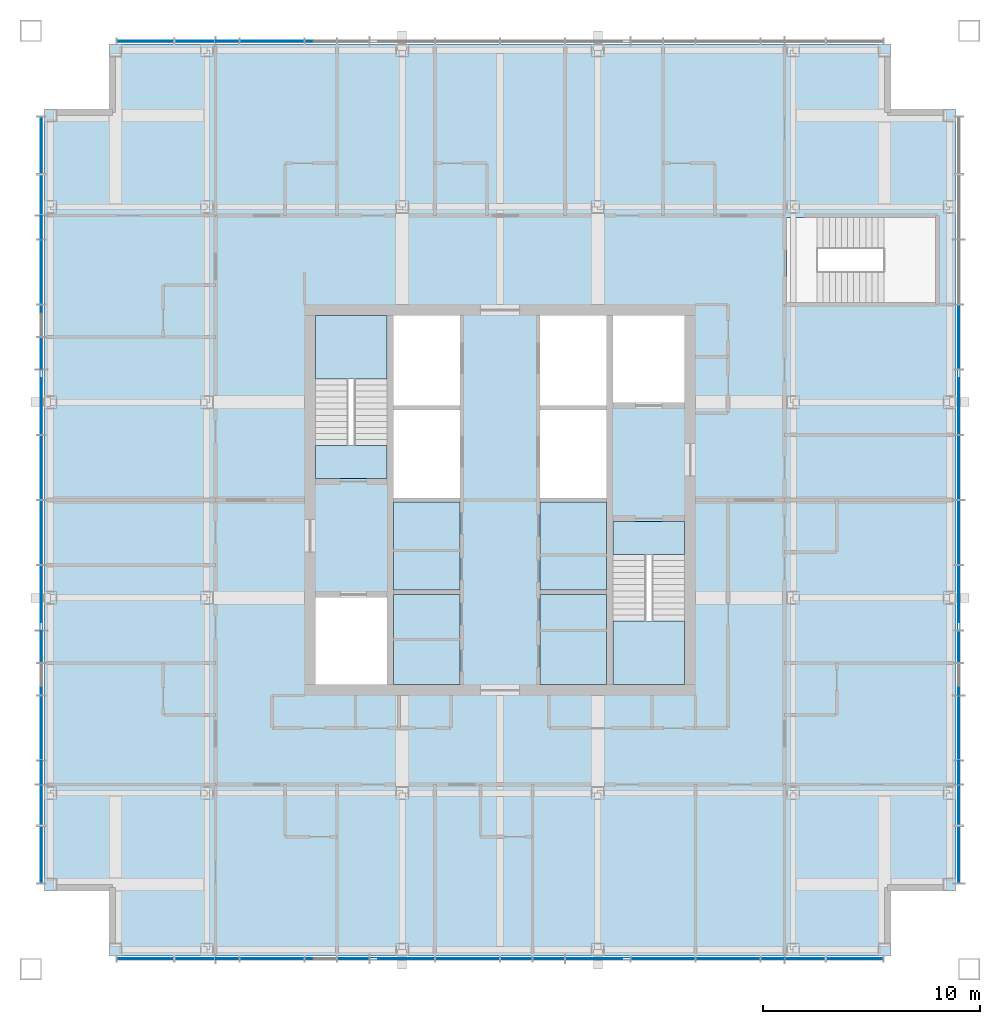
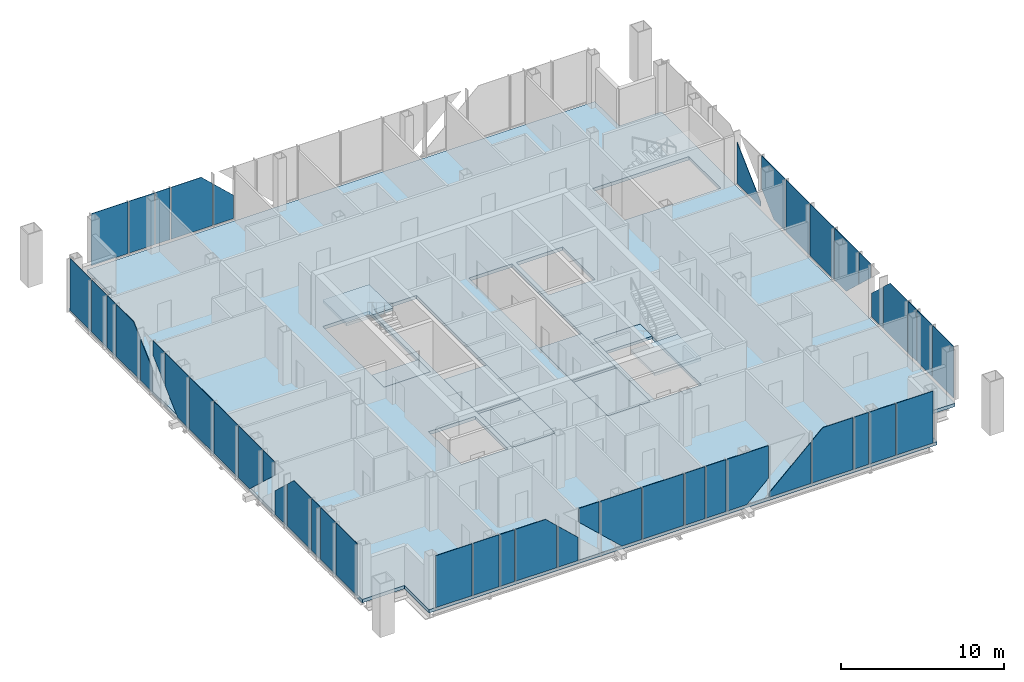
# One storey, part 6 of 13: 48 plates, 9 slabs, 6 elements without a shape of their own.
"""IFC4 building model written with IfcOpenShell, lengths in metres."""

from ifc_helpers import new_model, si_unit, direction, frame, origin, origin_2d, place, context, subcontext, project, spatial, polyline, rectangle, outline, extrude, material, layer, layer_set, type_object, element, aggregate, save


model = new_model("IFC4")

# Units and contexts
model_context = context("Model", 3, precision=1e-05, world=origin(), true_north=direction((0.0, 1.0)))
body_context = subcontext(model_context, "Body", "Model", "MODEL_VIEW")
ifc_project = project(units=[si_unit("LENGTHUNIT", "METRE"), si_unit("AREAUNIT", "SQUARE_METRE"), si_unit("VOLUMEUNIT", "CUBIC_METRE"), si_unit("PLANEANGLEUNIT", "RADIAN"), si_unit("MASSUNIT", "GRAM", prefix="KILO")], contexts=[model_context])

# Site, building, storey
site_placement = place(None, origin())
site = spatial("IfcSite", under=ifc_project, at=site_placement, CompositionType="ELEMENT")
building_placement = place(site_placement, origin())
building = spatial("IfcBuilding", under=site, at=building_placement, Name="Malebo Sky Hospital", CompositionType="ELEMENT")
storey_placement = place(building_placement, frame((0.0, 0.0, 274.0)))
storey = spatial("IfcBuildingStorey", under=building, at=storey_placement, Name="L66", CompositionType="ELEMENT", Elevation=274.0)

# Slabs
ifc_material_1 = material(Name="Concrete C40/50", Category="concrete")
ifc_layer_1 = layer(ifc_material_1, 0.25)
ifc_layer_set_1 = layer_set([ifc_layer_1], Name="COMPOSITE FLOOR SLAB 250")
slab_type_1 = type_object("IfcSlabType", Name="COMPOSITE FLOOR SLAB 250", PredefinedType="FLOOR", material=ifc_layer_set_1)
slab_1_placement = place(storey_placement, frame((0.0, 0.0, -0.25)))
element("IfcSlab", 1, at=slab_1_placement, inside=storey, type_object=slab_type_1, Name="Floor slab L66", PredefinedType="FLOOR", context=body_context, shape_type="SweptSolid", body=[
    extrude(outline(polyline([(42.0, 83.0), (42.0, 80.0), (39.0, 80.0), (39.0, 44.0), (42.0, 44.0), (42.0, 41.0), (78.0, 41.0), (78.0, 44.0), (81.0, 44.0), (81.0, 80.0), (78.0, 80.0), (78.0, 83.0), (42.0, 83.0)]), holes=[polyline([(55.10009765625, 70.5), (58.14990234375, 70.5), (58.14990234375, 53.5), (55.10009765625, 53.5), (55.10009765625, 70.5)]), polyline([(64.89990234375, 70.5), (64.89990234375, 53.5), (61.85009765625, 53.5), (61.85009765625, 70.5), (64.89990234375, 70.5)]), polyline([(54.800048828125, 63.0), (51.5, 63.0), (51.5, 70.5), (54.800048828125, 70.5), (54.800048828125, 63.0)]), polyline([(51.5, 53.5), (51.5, 57.5), (54.800048828125, 57.5), (54.800048828125, 53.5), (51.5, 53.5)]), polyline([(65.199951171875, 61.0), (68.5, 61.0), (68.5, 53.5), (65.199951171875, 53.5), (65.199951171875, 61.0)]), polyline([(68.5, 70.5), (68.5, 66.5), (65.199951171875, 66.5), (65.199951171875, 70.5), (68.5, 70.5)]), polyline([(80.050048828125, 71.10009765625), (73.199951171875, 71.10009765625), (73.199951171875, 75.0), (80.050048828125, 75.0), (80.050048828125, 71.10009765625)])]), origin(), (0.0, 0.0, 1.0), 0.25),
])
ifc_layer_2 = layer(ifc_material_1, 0.25)
ifc_layer_set_2 = layer_set([ifc_layer_2], Name="SHAFT INFILL SLAB 250")
slab_type_2 = type_object("IfcSlabType", Name="SHAFT INFILL SLAB 250", PredefinedType="FLOOR", material=ifc_layer_set_2)
slab_2_placement = place(storey_placement, frame((0.0, 0.0, -0.25)))
element("IfcSlab", 2, at=slab_2_placement, inside=storey, type_object=slab_type_2, Name="Shaft infill slab W1 L66", PredefinedType="FLOOR", context=body_context, shape_type="SweptSolid", body=[
    extrude(outline(polyline([(55.10009765625, 53.5), (58.14990234375, 53.5), (58.14990234375, 57.64990234375), (55.10009765625, 57.64990234375), (55.10009765625, 53.5)])), origin(), (0.0, 0.0, 1.0), 0.25),
])
slab_3_placement = place(storey_placement, frame((0.0, 0.0, -0.25)))
element("IfcSlab", 3, at=slab_3_placement, inside=storey, type_object=slab_type_2, Name="Shaft infill slab W2 L66", PredefinedType="FLOOR", context=body_context, shape_type="SweptSolid", body=[
    extrude(outline(polyline([(55.10009765625, 57.85009765625), (58.14990234375, 57.85009765625), (58.14990234375, 61.89990234375), (55.10009765625, 61.89990234375), (55.10009765625, 57.85009765625)])), origin(), (0.0, 0.0, 1.0), 0.25),
])
slab_4_placement = place(storey_placement, frame((0.0, 0.0, -0.25)))
element("IfcSlab", 4, at=slab_4_placement, inside=storey, type_object=slab_type_2, Name="Shaft infill slab E1 L66", PredefinedType="FLOOR", context=body_context, shape_type="SweptSolid", body=[
    extrude(outline(polyline([(61.85009765625, 53.5), (64.89990234375, 53.5), (64.89990234375, 57.64990234375), (61.85009765625, 57.64990234375), (61.85009765625, 53.5)])), origin(), (0.0, 0.0, 1.0), 0.25),
])
slab_5_placement = place(storey_placement, frame((0.0, 0.0, -0.25)))
element("IfcSlab", 5, at=slab_5_placement, inside=storey, type_object=slab_type_2, Name="Shaft infill slab E2 L66", PredefinedType="FLOOR", context=body_context, shape_type="SweptSolid", body=[
    extrude(outline(polyline([(61.85009765625, 57.85009765625), (64.89990234375, 57.85009765625), (64.89990234375, 61.89990234375), (61.85009765625, 61.89990234375), (61.85009765625, 57.85009765625)])), origin(), (0.0, 0.0, 1.0), 0.25),
])

# Stair, slabs
stair_type = type_object("IfcStairType", Name="HALF-TURN STAIR 1500 R167", PredefinedType="HALF_TURN_STAIR", material=ifc_material_1)
stair_1_placement = place(storey_placement, origin())
stair_1 = element("IfcStair", 6, at=stair_1_placement, inside=storey, type_object=stair_type, Name="Stair S1 L66 type ST1", PredefinedType="HALF_TURN_STAIR")
ifc_layer_3 = layer(ifc_material_1, 0.199951171875)
ifc_layer_set_3 = layer_set([ifc_layer_3], Name="STAIR LANDING 200")
slab_type_3 = type_object("IfcSlabType", Name="STAIR LANDING 200", PredefinedType="LANDING", material=ifc_layer_set_3)
slab_6_placement = place(storey_placement, frame((0.0, 0.0, -0.199951171875)))
slab_6 = element("IfcSlab", 7, at=slab_6_placement, type_object=slab_type_3, Name="S1 landing 1", PredefinedType="LANDING", context=body_context, shape_type="SweptSolid", body=[
    extrude(outline(polyline([(51.5, 63.0), (54.800048828125, 63.0), (54.800048828125, 64.5), (51.5, 64.5), (51.5, 63.0)])), origin(), (0.0, 0.0, 1.0), 0.199951171875),
])
slab_7_placement = place(storey_placement, frame((0.0, 0.0, 1.800048828125)))
slab_7 = element("IfcSlab", 8, at=slab_7_placement, type_object=slab_type_3, Name="S1 landing 2", PredefinedType="LANDING", context=body_context, shape_type="SweptSolid", body=[
    extrude(outline(polyline([(51.5, 67.580078125), (54.800048828125, 67.580078125), (54.800048828125, 70.5), (51.5, 70.5), (51.5, 67.580078125)])), origin(), (0.0, 0.0, 1.0), 0.199951171875),
])
aggregate(stair_1, [slab_6, slab_7])

stair_2_placement = place(storey_placement, origin())
stair_2 = element("IfcStair", 9, at=stair_2_placement, inside=storey, type_object=stair_type, Name="Stair S2 L66 type ST1", PredefinedType="HALF_TURN_STAIR")
slab_8_placement = place(storey_placement, frame((0.0, 0.0, -0.199951171875)))
slab_8 = element("IfcSlab", 10, at=slab_8_placement, type_object=slab_type_3, Name="S2 landing 1", PredefinedType="LANDING", context=body_context, shape_type="SweptSolid", body=[
    extrude(outline(polyline([(65.199951171875, 59.5), (68.5, 59.5), (68.5, 61.0), (65.199951171875, 61.0), (65.199951171875, 59.5)])), origin(), (0.0, 0.0, 1.0), 0.199951171875),
])
slab_9_placement = place(storey_placement, frame((0.0, 0.0, 1.800048828125)))
slab_9 = element("IfcSlab", 11, at=slab_9_placement, type_object=slab_type_3, Name="S2 landing 2", PredefinedType="LANDING", context=body_context, shape_type="SweptSolid", body=[
    extrude(outline(polyline([(65.199951171875, 53.5), (68.5, 53.5), (68.5, 56.419921875), (65.199951171875, 56.419921875), (65.199951171875, 53.5)])), origin(), (0.0, 0.0, 1.0), 0.199951171875),
])
aggregate(stair_2, [slab_8, slab_9])

# Curtain wall, plates
ifc_material_2 = material(Name="Anodised aluminium, natural silver", Category="aluminium")
ifc_layer_4 = layer(ifc_material_2, 0.25)
ifc_layer_set_4 = layer_set([ifc_layer_4], Name="WARD CURTAIN WALL NORTH AND SOUTH")
curtain_wall_type_1 = type_object("IfcCurtainWallType", Name="WARD CURTAIN WALL NORTH AND SOUTH", PredefinedType="NOTDEFINED", material=ifc_layer_set_4)
curtain_wall_1_placement = place(storey_placement, origin())
curtain_wall_1 = element("IfcCurtainWall", 12, at=curtain_wall_1_placement, inside=storey, type_object=curtain_wall_type_1, Name="NS curtain wall N", PredefinedType="NOTDEFINED")
ifc_material_3 = material(Name="Clear low-iron double glazing", Category="glass")
ifc_layer_5 = layer(ifc_material_3, 0.031982421875)
ifc_layer_set_5 = layer_set([ifc_layer_5], Name="VISION PANEL CLEAR 32")
plate_type = type_object("IfcPlateType", Name="VISION PANEL CLEAR 32", PredefinedType="CURTAIN_PANEL", material=ifc_layer_set_5)
plate_1_placement = place(storey_placement, frame((43.668701171875, 83.125, 0.10009765625), z_axis=(0.0, 0.0, 1.0), x_axis=(1.0, 0.0, 0.0)))
plate_1 = element("IfcPlate", 13, at=plate_1_placement, type_object=plate_type, Name="Panel 1", PredefinedType="CURTAIN_PANEL", context=body_context, shape_type="SweptSolid", body=[
    extrude(rectangle(XDim=2.58740234375, YDim=0.031982421875, at=origin_2d()), origin(), (0.0, 0.0, 1.0), 3.889892578125),
])
plate_2_placement = place(storey_placement, frame((45.949951171875, 83.125, 0.10009765625), z_axis=(0.0, 0.0, 1.0), x_axis=(1.0, 0.0, 0.0)))
plate_2 = element("IfcPlate", 14, at=plate_2_placement, type_object=plate_type, Name="Panel 2", PredefinedType="CURTAIN_PANEL", context=body_context, shape_type="SweptSolid", body=[
    extrude(rectangle(XDim=1.824951171875, YDim=0.031982421875, at=origin_2d()), origin(), (0.0, 0.0, 1.0), 3.889892578125),
])
plate_3_placement = place(storey_placement, frame((47.449951171875, 83.125, 0.10009765625), z_axis=(0.0, 0.0, 1.0), x_axis=(1.0, 0.0, 0.0)))
plate_3 = element("IfcPlate", 15, at=plate_3_placement, type_object=plate_type, Name="Panel 3", PredefinedType="CURTAIN_PANEL", context=body_context, shape_type="SweptSolid", body=[
    extrude(rectangle(XDim=1.02490234375, YDim=0.031982421875, at=origin_2d()), origin(), (0.0, 0.0, 1.0), 3.889892578125),
])
plate_4_placement = place(storey_placement, frame((49.5, 83.125, 0.10009765625), z_axis=(0.0, 0.0, 1.0), x_axis=(1.0, 0.0, 0.0)))
plate_4 = element("IfcPlate", 16, at=plate_4_placement, type_object=plate_type, Name="Panel 4", PredefinedType="CURTAIN_PANEL", context=body_context, shape_type="SweptSolid", body=[
    extrude(outline(polyline([(-1.46240234375, 0.0), (1.46240234375, 0.0), (1.46240234375, 3.154296875), (0.6767578125, 3.889892578125), (-1.46240234375, 3.889892578125), (-1.46240234375, 0.0)])), frame((0.0, 0.01611328125, 0.0), z_axis=(0.0, -1.0, 0.0), x_axis=(1.0, 0.0, 0.0)), (0.0, 0.0, 1.0), 0.031982421875),
])
plate_5_placement = place(storey_placement, frame((51.75, 83.125, 0.10009765625), z_axis=(0.0, 0.0, 1.0), x_axis=(1.0, 0.0, 0.0)))
plate_5 = element("IfcPlate", 17, at=plate_5_placement, type_object=plate_type, Name="Panel 5", PredefinedType="CURTAIN_PANEL", context=body_context, shape_type="SweptSolid", body=[
    extrude(outline(polyline([(-0.71240234375, 0.0), (0.71240234375, 0.0), (0.71240234375, 1.749755859375), (-0.71240234375, 3.083984375), (-0.71240234375, 0.0)])), frame((0.0, 0.01611328125, 0.0), z_axis=(0.0, -1.0, 0.0), x_axis=(1.0, 0.0, 0.0)), (0.0, 0.0, 1.0), 0.031982421875),
])
aggregate(curtain_wall_1, [plate_1, plate_2, plate_3, plate_4, plate_5])

ifc_layer_6 = layer(ifc_material_2, 0.25)
ifc_layer_set_6 = layer_set([ifc_layer_6], Name="WARD CURTAIN WALL EAST AND WEST")
curtain_wall_type_2 = type_object("IfcCurtainWallType", Name="WARD CURTAIN WALL EAST AND WEST", PredefinedType="NOTDEFINED", material=ifc_layer_set_6)
curtain_wall_2_placement = place(storey_placement, origin())
curtain_wall_2 = element("IfcCurtainWall", 18, at=curtain_wall_2_placement, inside=storey, type_object=curtain_wall_type_2, Name="EW curtain wall W", PredefinedType="NOTDEFINED")
plate_6_placement = place(storey_placement, frame((38.875, 45.668701171875, 0.10009765625), z_axis=(0.0, 0.0, 1.0), x_axis=(0.0, 1.0, 0.0)))
plate_6 = element("IfcPlate", 19, at=plate_6_placement, type_object=plate_type, Name="Panel 1", PredefinedType="CURTAIN_PANEL", context=body_context, shape_type="SweptSolid", body=[
    extrude(rectangle(XDim=2.58740234375, YDim=0.031982421875, at=origin_2d()), origin(), (0.0, 0.0, 1.0), 3.889892578125),
])
plate_7_placement = place(storey_placement, frame((38.875, 47.949951171875, 0.10009765625), z_axis=(0.0, 0.0, 1.0), x_axis=(0.0, 1.0, 0.0)))
plate_7 = element("IfcPlate", 20, at=plate_7_placement, type_object=plate_type, Name="Panel 2", PredefinedType="CURTAIN_PANEL", context=body_context, shape_type="SweptSolid", body=[
    extrude(rectangle(XDim=1.824951171875, YDim=0.031982421875, at=origin_2d()), origin(), (0.0, 0.0, 1.0), 3.889892578125),
])
plate_8_placement = place(storey_placement, frame((38.875, 49.449951171875, 0.10009765625), z_axis=(0.0, 0.0, 1.0), x_axis=(0.0, 1.0, 0.0)))
plate_8 = element("IfcPlate", 21, at=plate_8_placement, type_object=plate_type, Name="Panel 3", PredefinedType="CURTAIN_PANEL", context=body_context, shape_type="SweptSolid", body=[
    extrude(rectangle(XDim=1.02490234375, YDim=0.031982421875, at=origin_2d()), origin(), (0.0, 0.0, 1.0), 3.889892578125),
])
plate_9_placement = place(storey_placement, frame((38.875, 51.5, 0.10009765625), z_axis=(0.0, 0.0, 1.0), x_axis=(0.0, 1.0, 0.0)))
plate_9 = element("IfcPlate", 22, at=plate_9_placement, type_object=plate_type, Name="Panel 4", PredefinedType="CURTAIN_PANEL", context=body_context, shape_type="SweptSolid", body=[
    extrude(outline(polyline([(-1.46240234375, 0.0), (1.46240234375, 0.0), (1.46240234375, 3.154296875), (0.6767578125, 3.889892578125), (-1.46240234375, 3.889892578125), (-1.46240234375, 0.0)])), frame((0.0, 0.01611328125, 0.0), z_axis=(0.0, -1.0, 0.0), x_axis=(1.0, 0.0, 0.0)), (0.0, 0.0, 1.0), 0.031982421875),
])
plate_10_placement = place(storey_placement, frame((38.875, 53.75, 0.10009765625), z_axis=(0.0, 0.0, 1.0), x_axis=(0.0, 1.0, 0.0)))
plate_10 = element("IfcPlate", 23, at=plate_10_placement, type_object=plate_type, Name="Panel 5", PredefinedType="CURTAIN_PANEL", context=body_context, shape_type="SweptSolid", body=[
    extrude(outline(polyline([(-0.71240234375, 0.0), (0.71240234375, 0.0), (0.71240234375, 1.749755859375), (-0.71240234375, 3.083984375), (-0.71240234375, 0.0)])), frame((0.0, 0.01611328125, 0.0), z_axis=(0.0, -1.0, 0.0), x_axis=(1.0, 0.0, 0.0)), (0.0, 0.0, 1.0), 0.031982421875),
])
plate_11_placement = place(storey_placement, frame((38.875, 55.25, 1.611083984375), z_axis=(0.0, 0.0, 1.0), x_axis=(0.0, 1.0, 0.0)))
plate_11 = element("IfcPlate", 24, at=plate_11_placement, type_object=plate_type, Name="Panel 6", PredefinedType="CURTAIN_PANEL", context=body_context, shape_type="SweptSolid", body=[
    extrude(outline(polyline([(0.71240234375, 0.0), (0.71240234375, 2.37890625), (-0.71240234375, 2.37890625), (-0.71240234375, 1.334228515625), (0.71240234375, 0.0)])), frame((0.0, 0.01611328125, 0.0), z_axis=(0.0, -1.0, 0.0), x_axis=(1.0, 0.0, 0.0)), (0.0, 0.0, 1.0), 0.031982421875),
])
plate_12_placement = place(storey_placement, frame((38.875, 57.5, 0.10009765625), z_axis=(0.0, 0.0, 1.0), x_axis=(0.0, 1.0, 0.0)))
plate_12 = element("IfcPlate", 25, at=plate_12_placement, type_object=plate_type, Name="Panel 7", PredefinedType="CURTAIN_PANEL", context=body_context, shape_type="SweptSolid", body=[
    extrude(outline(polyline([(0.076416015625, 0.0), (1.46240234375, 0.0), (1.46240234375, 3.889892578125), (-1.46240234375, 3.889892578125), (-1.46240234375, 1.44091796875), (0.076416015625, 0.0)])), frame((0.0, 0.01611328125, 0.0), z_axis=(0.0, -1.0, 0.0), x_axis=(1.0, 0.0, 0.0)), (0.0, 0.0, 1.0), 0.031982421875),
])
plate_13_placement = place(storey_placement, frame((38.875, 60.5, 0.10009765625), z_axis=(0.0, 0.0, 1.0), x_axis=(0.0, 1.0, 0.0)))
plate_13 = element("IfcPlate", 26, at=plate_13_placement, type_object=plate_type, Name="Panel 8", PredefinedType="CURTAIN_PANEL", context=body_context, shape_type="SweptSolid", body=[
    extrude(rectangle(XDim=2.925048828125, YDim=0.031982421875, at=origin_2d()), origin(), (0.0, 0.0, 1.0), 3.889892578125),
])
plate_14_placement = place(storey_placement, frame((38.875, 63.5, 0.10009765625), z_axis=(0.0, 0.0, 1.0), x_axis=(0.0, 1.0, 0.0)))
plate_14 = element("IfcPlate", 27, at=plate_14_placement, type_object=plate_type, Name="Panel 9", PredefinedType="CURTAIN_PANEL", context=body_context, shape_type="SweptSolid", body=[
    extrude(rectangle(XDim=2.925048828125, YDim=0.031982421875, at=origin_2d()), origin(), (0.0, 0.0, 1.0), 3.889892578125),
])
plate_15_placement = place(storey_placement, frame((38.875, 66.5, 0.10009765625), z_axis=(0.0, 0.0, 1.0), x_axis=(0.0, 1.0, 0.0)))
plate_15 = element("IfcPlate", 28, at=plate_15_placement, type_object=plate_type, Name="Panel 10", PredefinedType="CURTAIN_PANEL", context=body_context, shape_type="SweptSolid", body=[
    extrude(outline(polyline([(-1.46240234375, 0.0), (-0.076416015625, 0.0), (1.46240234375, 1.44091796875), (1.46240234375, 3.889892578125), (-1.46240234375, 3.889892578125), (-1.46240234375, 0.0)])), frame((0.0, 0.01611328125, 0.0), z_axis=(0.0, -1.0, 0.0), x_axis=(1.0, 0.0, 0.0)), (0.0, 0.0, 1.0), 0.031982421875),
])
plate_16_placement = place(storey_placement, frame((38.875, 68.75, 1.611083984375), z_axis=(0.0, 0.0, 1.0), x_axis=(0.0, 1.0, 0.0)))
plate_16 = element("IfcPlate", 29, at=plate_16_placement, type_object=plate_type, Name="Panel 11", PredefinedType="CURTAIN_PANEL", context=body_context, shape_type="SweptSolid", body=[
    extrude(outline(polyline([(-0.71240234375, 0.0), (0.71240234375, 1.334228515625), (0.71240234375, 2.37890625), (-0.71240234375, 2.37890625), (-0.71240234375, 0.0)])), frame((0.0, 0.01611328125, 0.0), z_axis=(0.0, -1.0, 0.0), x_axis=(1.0, 0.0, 0.0)), (0.0, 0.0, 1.0), 0.031982421875),
])
plate_17_placement = place(storey_placement, frame((38.875, 70.25, 0.10009765625), z_axis=(0.0, 0.0, 1.0), x_axis=(0.0, 1.0, 0.0)))
plate_17 = element("IfcPlate", 30, at=plate_17_placement, type_object=plate_type, Name="Panel 12", PredefinedType="CURTAIN_PANEL", context=body_context, shape_type="SweptSolid", body=[
    extrude(outline(polyline([(-0.71240234375, 0.0), (0.71240234375, 0.0), (0.71240234375, 3.083984375), (-0.71240234375, 1.749755859375), (-0.71240234375, 0.0)])), frame((0.0, 0.01611328125, 0.0), z_axis=(0.0, -1.0, 0.0), x_axis=(1.0, 0.0, 0.0)), (0.0, 0.0, 1.0), 0.031982421875),
])
plate_18_placement = place(storey_placement, frame((38.875, 72.5, 0.10009765625), z_axis=(0.0, 0.0, 1.0), x_axis=(0.0, 1.0, 0.0)))
plate_18 = element("IfcPlate", 31, at=plate_18_placement, type_object=plate_type, Name="Panel 13", PredefinedType="CURTAIN_PANEL", context=body_context, shape_type="SweptSolid", body=[
    extrude(outline(polyline([(-1.46240234375, 0.0), (1.46240234375, 0.0), (1.46240234375, 3.889892578125), (-0.6767578125, 3.889892578125), (-1.46240234375, 3.154296875), (-1.46240234375, 0.0)])), frame((0.0, 0.01611328125, 0.0), z_axis=(0.0, -1.0, 0.0), x_axis=(1.0, 0.0, 0.0)), (0.0, 0.0, 1.0), 0.031982421875),
])
plate_19_placement = place(storey_placement, frame((38.875, 74.550048828125, 0.10009765625), z_axis=(0.0, 0.0, 1.0), x_axis=(0.0, 1.0, 0.0)))
plate_19 = element("IfcPlate", 32, at=plate_19_placement, type_object=plate_type, Name="Panel 14", PredefinedType="CURTAIN_PANEL", context=body_context, shape_type="SweptSolid", body=[
    extrude(rectangle(XDim=1.02490234375, YDim=0.031982421875, at=origin_2d()), origin(), (0.0, 0.0, 1.0), 3.889892578125),
])
plate_20_placement = place(storey_placement, frame((38.875, 76.050048828125, 0.10009765625), z_axis=(0.0, 0.0, 1.0), x_axis=(0.0, 1.0, 0.0)))
plate_20 = element("IfcPlate", 33, at=plate_20_placement, type_object=plate_type, Name="Panel 15", PredefinedType="CURTAIN_PANEL", context=body_context, shape_type="SweptSolid", body=[
    extrude(rectangle(XDim=1.824951171875, YDim=0.031982421875, at=origin_2d()), origin(), (0.0, 0.0, 1.0), 3.889892578125),
])
plate_21_placement = place(storey_placement, frame((38.875, 78.331298828125, 0.10009765625), z_axis=(0.0, 0.0, 1.0), x_axis=(0.0, 1.0, 0.0)))
plate_21 = element("IfcPlate", 34, at=plate_21_placement, type_object=plate_type, Name="Panel 16", PredefinedType="CURTAIN_PANEL", context=body_context, shape_type="SweptSolid", body=[
    extrude(rectangle(XDim=2.58740234375, YDim=0.031982421875, at=origin_2d()), origin(), (0.0, 0.0, 1.0), 3.889892578125),
])
aggregate(curtain_wall_2, [plate_6, plate_7, plate_8, plate_9, plate_10, plate_11, plate_12, plate_13, plate_14, plate_15, plate_16, plate_17, plate_18, plate_19, plate_20, plate_21])

curtain_wall_3_placement = place(storey_placement, origin())
curtain_wall_3 = element("IfcCurtainWall", 35, at=curtain_wall_3_placement, inside=storey, type_object=curtain_wall_type_1, Name="NS curtain wall S", PredefinedType="NOTDEFINED")
plate_22_placement = place(storey_placement, frame((76.331298828125, 40.875, 0.10009765625), z_axis=(0.0, 0.0, 1.0), x_axis=(-1.0, 0.0, 0.0)))
plate_22 = element("IfcPlate", 36, at=plate_22_placement, type_object=plate_type, Name="Panel 1", PredefinedType="CURTAIN_PANEL", context=body_context, shape_type="SweptSolid", body=[
    extrude(rectangle(XDim=2.58740234375, YDim=0.031982421875, at=origin_2d()), origin(), (0.0, 0.0, 1.0), 3.889892578125),
])
plate_23_placement = place(storey_placement, frame((74.050048828125, 40.875, 0.10009765625), z_axis=(0.0, 0.0, 1.0), x_axis=(-1.0, 0.0, 0.0)))
plate_23 = element("IfcPlate", 37, at=plate_23_placement, type_object=plate_type, Name="Panel 2", PredefinedType="CURTAIN_PANEL", context=body_context, shape_type="SweptSolid", body=[
    extrude(rectangle(XDim=1.824951171875, YDim=0.031982421875, at=origin_2d()), origin(), (0.0, 0.0, 1.0), 3.889892578125),
])
plate_24_placement = place(storey_placement, frame((72.550048828125, 40.875, 0.10009765625), z_axis=(0.0, 0.0, 1.0), x_axis=(-1.0, 0.0, 0.0)))
plate_24 = element("IfcPlate", 38, at=plate_24_placement, type_object=plate_type, Name="Panel 3", PredefinedType="CURTAIN_PANEL", context=body_context, shape_type="SweptSolid", body=[
    extrude(rectangle(XDim=1.02490234375, YDim=0.031982421875, at=origin_2d()), origin(), (0.0, 0.0, 1.0), 3.889892578125),
])
plate_25_placement = place(storey_placement, frame((70.5, 40.875, 0.10009765625), z_axis=(0.0, 0.0, 1.0), x_axis=(-1.0, 0.0, 0.0)))
plate_25 = element("IfcPlate", 39, at=plate_25_placement, type_object=plate_type, Name="Panel 4", PredefinedType="CURTAIN_PANEL", context=body_context, shape_type="SweptSolid", body=[
    extrude(outline(polyline([(-1.46240234375, 0.0), (1.46240234375, 0.0), (1.46240234375, 3.154296875), (0.6767578125, 3.889892578125), (-1.46240234375, 3.889892578125), (-1.46240234375, 0.0)])), frame((0.0, 0.01611328125, 0.0), z_axis=(0.0, -1.0, 0.0), x_axis=(1.0, 0.0, 0.0)), (0.0, 0.0, 1.0), 0.031982421875),
])
plate_26_placement = place(storey_placement, frame((67.5, 40.875, 0.10009765625), z_axis=(0.0, 0.0, 1.0), x_axis=(-1.0, 0.0, 0.0)))
plate_26 = element("IfcPlate", 40, at=plate_26_placement, type_object=plate_type, Name="Panel 5", PredefinedType="CURTAIN_PANEL", context=body_context, shape_type="SweptSolid", body=[
    extrude(outline(polyline([(-1.46240234375, 0.0), (1.46240234375, 0.0), (1.46240234375, 0.34521484375), (-1.46240234375, 3.083984375), (-1.46240234375, 0.0)])), frame((0.0, 0.01611328125, 0.0), z_axis=(0.0, -1.0, 0.0), x_axis=(1.0, 0.0, 0.0)), (0.0, 0.0, 1.0), 0.031982421875),
])
plate_27_placement = place(storey_placement, frame((64.5, 40.875, 0.10009765625), z_axis=(0.0, 0.0, 1.0), x_axis=(-1.0, 0.0, 0.0)))
plate_27 = element("IfcPlate", 41, at=plate_27_placement, type_object=plate_type, Name="Panel 6", PredefinedType="CURTAIN_PANEL", context=body_context, shape_type="SweptSolid", body=[
    extrude(outline(polyline([(0.076416015625, 0.0), (1.46240234375, 0.0), (1.46240234375, 3.889892578125), (-1.46240234375, 3.889892578125), (-1.46240234375, 1.44091796875), (0.076416015625, 0.0)])), frame((0.0, 0.01611328125, 0.0), z_axis=(0.0, -1.0, 0.0), x_axis=(1.0, 0.0, 0.0)), (0.0, 0.0, 1.0), 0.031982421875),
])
plate_28_placement = place(storey_placement, frame((62.25, 40.875, 0.10009765625), z_axis=(0.0, 0.0, 1.0), x_axis=(-1.0, 0.0, 0.0)))
plate_28 = element("IfcPlate", 42, at=plate_28_placement, type_object=plate_type, Name="Panel 7", PredefinedType="CURTAIN_PANEL", context=body_context, shape_type="SweptSolid", body=[
    extrude(rectangle(XDim=1.425048828125, YDim=0.031982421875, at=origin_2d()), origin(), (0.0, 0.0, 1.0), 3.889892578125),
])
plate_29_placement = place(storey_placement, frame((60.75, 40.875, 0.10009765625), z_axis=(0.0, 0.0, 1.0), x_axis=(-1.0, 0.0, 0.0)))
plate_29 = element("IfcPlate", 43, at=plate_29_placement, type_object=plate_type, Name="Panel 8", PredefinedType="CURTAIN_PANEL", context=body_context, shape_type="SweptSolid", body=[
    extrude(rectangle(XDim=1.425048828125, YDim=0.031982421875, at=origin_2d()), origin(), (0.0, 0.0, 1.0), 3.889892578125),
])
plate_30_placement = place(storey_placement, frame((58.5, 40.875, 0.10009765625), z_axis=(0.0, 0.0, 1.0), x_axis=(-1.0, 0.0, 0.0)))
plate_30 = element("IfcPlate", 44, at=plate_30_placement, type_object=plate_type, Name="Panel 9", PredefinedType="CURTAIN_PANEL", context=body_context, shape_type="SweptSolid", body=[
    extrude(rectangle(XDim=2.925048828125, YDim=0.031982421875, at=origin_2d()), origin(), (0.0, 0.0, 1.0), 3.889892578125),
])
plate_31_placement = place(storey_placement, frame((55.5, 40.875, 0.10009765625), z_axis=(0.0, 0.0, 1.0), x_axis=(-1.0, 0.0, 0.0)))
plate_31 = element("IfcPlate", 45, at=plate_31_placement, type_object=plate_type, Name="Panel 10", PredefinedType="CURTAIN_PANEL", context=body_context, shape_type="SweptSolid", body=[
    extrude(outline(polyline([(-1.46240234375, 0.0), (-0.076416015625, 0.0), (1.46240234375, 1.44091796875), (1.46240234375, 3.889892578125), (-1.46240234375, 3.889892578125), (-1.46240234375, 0.0)])), frame((0.0, 0.01611328125, 0.0), z_axis=(0.0, -1.0, 0.0), x_axis=(1.0, 0.0, 0.0)), (0.0, 0.0, 1.0), 0.031982421875),
])
plate_32_placement = place(storey_placement, frame((53.25, 40.875, 1.611083984375), z_axis=(0.0, 0.0, 1.0), x_axis=(-1.0, 0.0, 0.0)))
plate_32 = element("IfcPlate", 46, at=plate_32_placement, type_object=plate_type, Name="Panel 11", PredefinedType="CURTAIN_PANEL", context=body_context, shape_type="SweptSolid", body=[
    extrude(outline(polyline([(-0.71240234375, 0.0), (0.71240234375, 1.334228515625), (0.71240234375, 2.37890625), (-0.71240234375, 2.37890625), (-0.71240234375, 0.0)])), frame((0.0, 0.01611328125, 0.0), z_axis=(0.0, -1.0, 0.0), x_axis=(1.0, 0.0, 0.0)), (0.0, 0.0, 1.0), 0.031982421875),
])
plate_33_placement = place(storey_placement, frame((51.75, 40.875, 0.10009765625), z_axis=(0.0, 0.0, 1.0), x_axis=(-1.0, 0.0, 0.0)))
plate_33 = element("IfcPlate", 47, at=plate_33_placement, type_object=plate_type, Name="Panel 12", PredefinedType="CURTAIN_PANEL", context=body_context, shape_type="SweptSolid", body=[
    extrude(outline(polyline([(-0.71240234375, 0.0), (0.71240234375, 0.0), (0.71240234375, 3.083984375), (-0.71240234375, 1.749755859375), (-0.71240234375, 0.0)])), frame((0.0, 0.01611328125, 0.0), z_axis=(0.0, -1.0, 0.0), x_axis=(1.0, 0.0, 0.0)), (0.0, 0.0, 1.0), 0.031982421875),
])
plate_34_placement = place(storey_placement, frame((49.5, 40.875, 0.10009765625), z_axis=(0.0, 0.0, 1.0), x_axis=(-1.0, 0.0, 0.0)))
plate_34 = element("IfcPlate", 48, at=plate_34_placement, type_object=plate_type, Name="Panel 13", PredefinedType="CURTAIN_PANEL", context=body_context, shape_type="SweptSolid", body=[
    extrude(outline(polyline([(-1.46240234375, 0.0), (1.46240234375, 0.0), (1.46240234375, 3.889892578125), (-0.6767578125, 3.889892578125), (-1.46240234375, 3.154296875), (-1.46240234375, 0.0)])), frame((0.0, 0.01611328125, 0.0), z_axis=(0.0, -1.0, 0.0), x_axis=(1.0, 0.0, 0.0)), (0.0, 0.0, 1.0), 0.031982421875),
])
plate_35_placement = place(storey_placement, frame((47.449951171875, 40.875, 0.10009765625), z_axis=(0.0, 0.0, 1.0), x_axis=(-1.0, 0.0, 0.0)))
plate_35 = element("IfcPlate", 49, at=plate_35_placement, type_object=plate_type, Name="Panel 14", PredefinedType="CURTAIN_PANEL", context=body_context, shape_type="SweptSolid", body=[
    extrude(rectangle(XDim=1.02490234375, YDim=0.031982421875, at=origin_2d()), origin(), (0.0, 0.0, 1.0), 3.889892578125),
])
plate_36_placement = place(storey_placement, frame((45.949951171875, 40.875, 0.10009765625), z_axis=(0.0, 0.0, 1.0), x_axis=(-1.0, 0.0, 0.0)))
plate_36 = element("IfcPlate", 50, at=plate_36_placement, type_object=plate_type, Name="Panel 15", PredefinedType="CURTAIN_PANEL", context=body_context, shape_type="SweptSolid", body=[
    extrude(rectangle(XDim=1.824951171875, YDim=0.031982421875, at=origin_2d()), origin(), (0.0, 0.0, 1.0), 3.889892578125),
])
plate_37_placement = place(storey_placement, frame((43.668701171875, 40.875, 0.10009765625), z_axis=(0.0, 0.0, 1.0), x_axis=(-1.0, 0.0, 0.0)))
plate_37 = element("IfcPlate", 51, at=plate_37_placement, type_object=plate_type, Name="Panel 16", PredefinedType="CURTAIN_PANEL", context=body_context, shape_type="SweptSolid", body=[
    extrude(rectangle(XDim=2.58740234375, YDim=0.031982421875, at=origin_2d()), origin(), (0.0, 0.0, 1.0), 3.889892578125),
])
aggregate(curtain_wall_3, [plate_22, plate_23, plate_24, plate_25, plate_26, plate_27, plate_28, plate_29, plate_30, plate_31, plate_32, plate_33, plate_34, plate_35, plate_36, plate_37])

curtain_wall_4_placement = place(storey_placement, origin())
curtain_wall_4 = element("IfcCurtainWall", 52, at=curtain_wall_4_placement, inside=storey, type_object=curtain_wall_type_2, Name="EW curtain wall E", PredefinedType="NOTDEFINED")
plate_38_placement = place(storey_placement, frame((81.125, 69.5, 0.10009765625), z_axis=(0.0, 0.0, 1.0), x_axis=(0.0, -1.0, 0.0)))
plate_38 = element("IfcPlate", 53, at=plate_38_placement, type_object=plate_type, Name="Panel 4", PredefinedType="CURTAIN_PANEL", context=body_context, shape_type="SweptSolid", body=[
    extrude(outline(polyline([(-1.46240234375, 0.0), (1.46240234375, 0.0), (1.46240234375, 0.34521484375), (-1.46240234375, 3.083984375), (-1.46240234375, 0.0)])), frame((0.0, 0.01611328125, 0.0), z_axis=(0.0, -1.0, 0.0), x_axis=(1.0, 0.0, 0.0)), (0.0, 0.0, 1.0), 0.031982421875),
])
plate_39_placement = place(storey_placement, frame((81.125, 66.5, 0.10009765625), z_axis=(0.0, 0.0, 1.0), x_axis=(0.0, -1.0, 0.0)))
plate_39 = element("IfcPlate", 54, at=plate_39_placement, type_object=plate_type, Name="Panel 5", PredefinedType="CURTAIN_PANEL", context=body_context, shape_type="SweptSolid", body=[
    extrude(outline(polyline([(0.076416015625, 0.0), (1.46240234375, 0.0), (1.46240234375, 3.889892578125), (-1.46240234375, 3.889892578125), (-1.46240234375, 1.44091796875), (0.076416015625, 0.0)])), frame((0.0, 0.01611328125, 0.0), z_axis=(0.0, -1.0, 0.0), x_axis=(1.0, 0.0, 0.0)), (0.0, 0.0, 1.0), 0.031982421875),
])
plate_40_placement = place(storey_placement, frame((81.125, 63.5, 0.10009765625), z_axis=(0.0, 0.0, 1.0), x_axis=(0.0, -1.0, 0.0)))
plate_40 = element("IfcPlate", 55, at=plate_40_placement, type_object=plate_type, Name="Panel 6", PredefinedType="CURTAIN_PANEL", context=body_context, shape_type="SweptSolid", body=[
    extrude(rectangle(XDim=2.925048828125, YDim=0.031982421875, at=origin_2d()), origin(), (0.0, 0.0, 1.0), 3.889892578125),
])
plate_41_placement = place(storey_placement, frame((81.125, 60.5, 0.10009765625), z_axis=(0.0, 0.0, 1.0), x_axis=(0.0, -1.0, 0.0)))
plate_41 = element("IfcPlate", 56, at=plate_41_placement, type_object=plate_type, Name="Panel 7", PredefinedType="CURTAIN_PANEL", context=body_context, shape_type="SweptSolid", body=[
    extrude(rectangle(XDim=2.925048828125, YDim=0.031982421875, at=origin_2d()), origin(), (0.0, 0.0, 1.0), 3.889892578125),
])
plate_42_placement = place(storey_placement, frame((81.125, 57.5, 0.10009765625), z_axis=(0.0, 0.0, 1.0), x_axis=(0.0, -1.0, 0.0)))
plate_42 = element("IfcPlate", 57, at=plate_42_placement, type_object=plate_type, Name="Panel 8", PredefinedType="CURTAIN_PANEL", context=body_context, shape_type="SweptSolid", body=[
    extrude(outline(polyline([(-1.46240234375, 0.0), (-0.076416015625, 0.0), (1.46240234375, 1.44091796875), (1.46240234375, 3.889892578125), (-1.46240234375, 3.889892578125), (-1.46240234375, 0.0)])), frame((0.0, 0.01611328125, 0.0), z_axis=(0.0, -1.0, 0.0), x_axis=(1.0, 0.0, 0.0)), (0.0, 0.0, 1.0), 0.031982421875),
])
plate_43_placement = place(storey_placement, frame((81.125, 55.25, 1.611083984375), z_axis=(0.0, 0.0, 1.0), x_axis=(0.0, -1.0, 0.0)))
plate_43 = element("IfcPlate", 58, at=plate_43_placement, type_object=plate_type, Name="Panel 9", PredefinedType="CURTAIN_PANEL", context=body_context, shape_type="SweptSolid", body=[
    extrude(outline(polyline([(-0.71240234375, 0.0), (0.71240234375, 1.334228515625), (0.71240234375, 2.37890625), (-0.71240234375, 2.37890625), (-0.71240234375, 0.0)])), frame((0.0, 0.01611328125, 0.0), z_axis=(0.0, -1.0, 0.0), x_axis=(1.0, 0.0, 0.0)), (0.0, 0.0, 1.0), 0.031982421875),
])
plate_44_placement = place(storey_placement, frame((81.125, 53.75, 0.10009765625), z_axis=(0.0, 0.0, 1.0), x_axis=(0.0, -1.0, 0.0)))
plate_44 = element("IfcPlate", 59, at=plate_44_placement, type_object=plate_type, Name="Panel 10", PredefinedType="CURTAIN_PANEL", context=body_context, shape_type="SweptSolid", body=[
    extrude(outline(polyline([(-0.71240234375, 0.0), (0.71240234375, 0.0), (0.71240234375, 3.083984375), (-0.71240234375, 1.749755859375), (-0.71240234375, 0.0)])), frame((0.0, 0.01611328125, 0.0), z_axis=(0.0, -1.0, 0.0), x_axis=(1.0, 0.0, 0.0)), (0.0, 0.0, 1.0), 0.031982421875),
])
plate_45_placement = place(storey_placement, frame((81.125, 51.5, 0.10009765625), z_axis=(0.0, 0.0, 1.0), x_axis=(0.0, -1.0, 0.0)))
plate_45 = element("IfcPlate", 60, at=plate_45_placement, type_object=plate_type, Name="Panel 11", PredefinedType="CURTAIN_PANEL", context=body_context, shape_type="SweptSolid", body=[
    extrude(outline(polyline([(-1.46240234375, 0.0), (1.46240234375, 0.0), (1.46240234375, 3.889892578125), (-0.6767578125, 3.889892578125), (-1.46240234375, 3.154296875), (-1.46240234375, 0.0)])), frame((0.0, 0.01611328125, 0.0), z_axis=(0.0, -1.0, 0.0), x_axis=(1.0, 0.0, 0.0)), (0.0, 0.0, 1.0), 0.031982421875),
])
plate_46_placement = place(storey_placement, frame((81.125, 49.449951171875, 0.10009765625), z_axis=(0.0, 0.0, 1.0), x_axis=(0.0, -1.0, 0.0)))
plate_46 = element("IfcPlate", 61, at=plate_46_placement, type_object=plate_type, Name="Panel 12", PredefinedType="CURTAIN_PANEL", context=body_context, shape_type="SweptSolid", body=[
    extrude(rectangle(XDim=1.02490234375, YDim=0.031982421875, at=origin_2d()), origin(), (0.0, 0.0, 1.0), 3.889892578125),
])
plate_47_placement = place(storey_placement, frame((81.125, 47.949951171875, 0.10009765625), z_axis=(0.0, 0.0, 1.0), x_axis=(0.0, -1.0, 0.0)))
plate_47 = element("IfcPlate", 62, at=plate_47_placement, type_object=plate_type, Name="Panel 13", PredefinedType="CURTAIN_PANEL", context=body_context, shape_type="SweptSolid", body=[
    extrude(rectangle(XDim=1.824951171875, YDim=0.031982421875, at=origin_2d()), origin(), (0.0, 0.0, 1.0), 3.889892578125),
])
plate_48_placement = place(storey_placement, frame((81.125, 45.668701171875, 0.10009765625), z_axis=(0.0, 0.0, 1.0), x_axis=(0.0, -1.0, 0.0)))
plate_48 = element("IfcPlate", 63, at=plate_48_placement, type_object=plate_type, Name="Panel 14", PredefinedType="CURTAIN_PANEL", context=body_context, shape_type="SweptSolid", body=[
    extrude(rectangle(XDim=2.58740234375, YDim=0.031982421875, at=origin_2d()), origin(), (0.0, 0.0, 1.0), 3.889892578125),
])
aggregate(curtain_wall_4, [plate_38, plate_39, plate_40, plate_41, plate_42, plate_43, plate_44, plate_45, plate_46, plate_47, plate_48])

save(model, "model.ifc")
